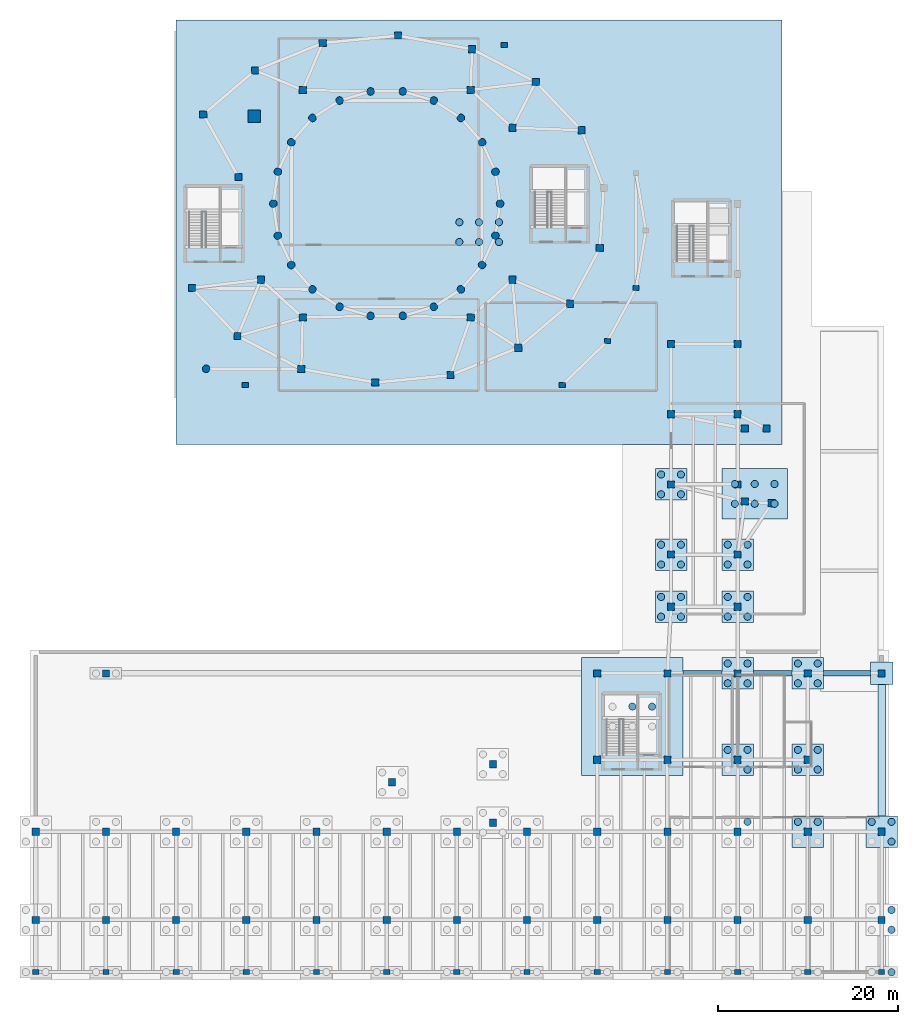
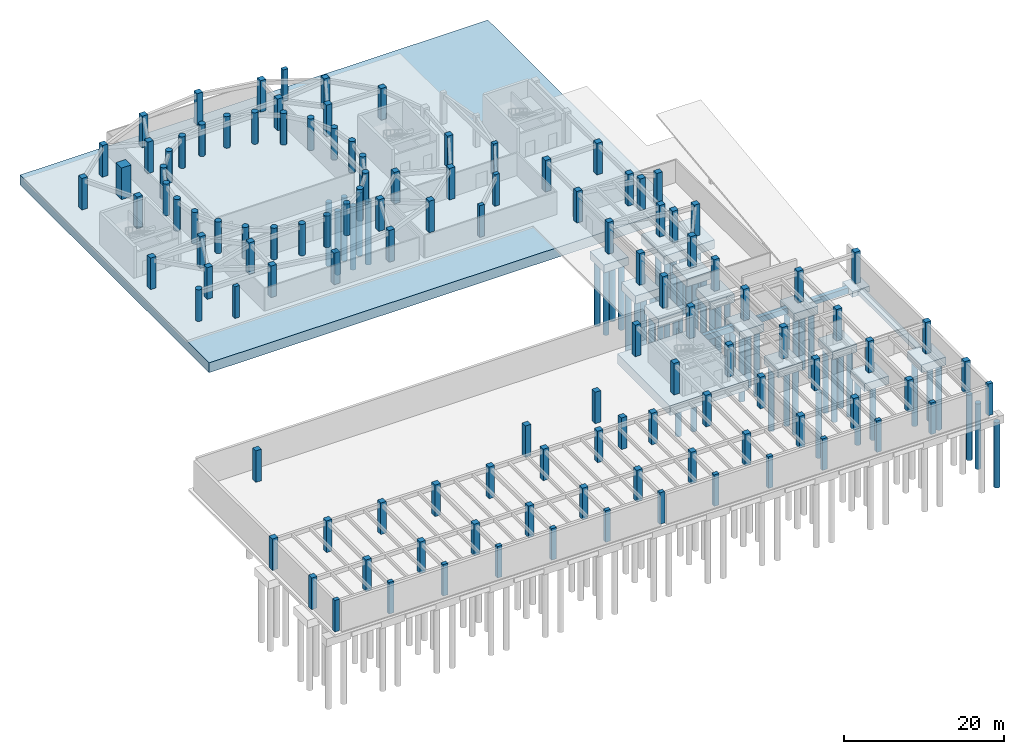
# One storey, part 2 of 11: 118 columns, 58 piles, 19 footings.
"""IFC4 building model written with IfcOpenShell, lengths in metres."""

from ifc_helpers import new_model, si_unit, direction, frame, origin, origin_2d, place, context, subcontext, project, spatial, rectangle, circle, extrude, material, layer, layer_set, material_profile, profile_set, type_object, element, save


model = new_model("IFC4")

# Units and contexts
model_context = context("Model", 3, precision=1e-05, world=origin(), true_north=direction((0.0, 1.0)))
body_context = subcontext(model_context, "Body", "Model", "MODEL_VIEW")
ifc_project = project(units=[si_unit("LENGTHUNIT", "METRE"), si_unit("AREAUNIT", "SQUARE_METRE"), si_unit("VOLUMEUNIT", "CUBIC_METRE"), si_unit("PLANEANGLEUNIT", "RADIAN"), si_unit("MASSUNIT", "GRAM", prefix="KILO")], contexts=[model_context])

# Site, building, storey
site_placement = place(None, origin())
site = spatial("IfcSite", under=ifc_project, at=site_placement, CompositionType="ELEMENT")
building_placement = place(site_placement, origin())
building = spatial("IfcBuilding", under=site, at=building_placement, Name="Pelvatis Terrace Science Centre", CompositionType="ELEMENT")
storey_placement = place(building_placement, frame((0.0, 0.0, -4.800048828125)))
storey = spatial("IfcBuildingStorey", under=building, at=storey_placement, Name="B01", CompositionType="ELEMENT", Elevation=-4.800048828125)

# Footings
ifc_material_1 = material(Name="Concrete C35/45", Category="concrete")
ifc_material_profile_1 = material_profile(ifc_material_1, rectangle(XDim=0.60009765625, YDim=0.89990234375, at=origin_2d()), Name="RC-FTB 600x900")
ifc_profile_set_1 = profile_set([ifc_material_profile_1], Name="Concrete C35/45")
footing_type_1 = type_object("IfcFootingType", Name="FTG-BM-600x900", PredefinedType="FOOTING_BEAM", material=ifc_profile_set_1)
footing_1_placement = place(storey_placement, frame((142.14501953125, 33.60009765625, -0.75), z_axis=(1.0, 0.0, 0.0), x_axis=(0.0, 1.0, 0.0)))
element("IfcFooting", 1, at=footing_1_placement, inside=storey, type_object=footing_type_1, Name="Foundation footing beam 04", PredefinedType="FOOTING_BEAM", context=body_context, shape_type="SweptSolid", body=[
    extrude(rectangle(XDim=0.60009765625, YDim=0.89990234375, at=origin_2d()), origin(), (0.0, 0.0, 1.0), 4.31005859375),
])
footing_2_placement = place(storey_placement, frame((149.945068359375, 33.60009765625, -0.75), z_axis=(1.0, 0.0, 0.0), x_axis=(0.0, 1.0, 0.0)))
element("IfcFooting", 2, at=footing_2_placement, inside=storey, type_object=footing_type_1, Name="Foundation footing beam 05", PredefinedType="FOOTING_BEAM", context=body_context, shape_type="SweptSolid", body=[
    extrude(rectangle(XDim=0.60009765625, YDim=0.89990234375, at=origin_2d()), origin(), (0.0, 0.0, 1.0), 4.309814453125),
])
footing_3_placement = place(storey_placement, frame((157.7451171875, 33.60009765625, -0.75), z_axis=(1.0, 0.0, 0.0), x_axis=(0.0, 1.0, 0.0)))
element("IfcFooting", 3, at=footing_3_placement, inside=storey, type_object=footing_type_1, Name="Foundation footing beam 06", PredefinedType="FOOTING_BEAM", context=body_context, shape_type="SweptSolid", body=[
    extrude(rectangle(XDim=0.60009765625, YDim=0.89990234375, at=origin_2d()), origin(), (0.0, 0.0, 1.0), 5.2099609375),
])
ifc_material_2 = material(Name="Concrete C35/45", Category="concrete")
ifc_layer_1 = layer(ifc_material_2, 1.5)
ifc_layer_set_1 = layer_set([ifc_layer_1], Name="Concrete C35/45")
footing_type_2 = type_object("IfcFootingType", Name="FTG-CMB-11300x13100x1500", PredefinedType="PILE_CAP", material=ifc_layer_set_1)
footing_4_placement = place(storey_placement, frame((136.5, 28.800048828125, -1.849853515625), z_axis=(0.0, 0.0, 1.0), x_axis=(1.0, 0.0, 0.0)))
element("IfcFooting", 4, at=footing_4_placement, inside=storey, type_object=footing_type_2, Name="Foundation cap B01-236", PredefinedType="PILE_CAP", context=body_context, shape_type="SweptSolid", body=[
    extrude(rectangle(XDim=11.300048828125, YDim=13.10009765625, at=origin_2d()), origin(), (0.0, 0.0, 1.0), 1.5),
])
ifc_material_3 = material(Name="Concrete C35/45", Category="concrete")
ifc_layer_2 = layer(ifc_material_3, 1.5)
ifc_layer_set_2 = layer_set([ifc_layer_2], Name="Concrete C35/45")
footing_type_3 = type_object("IfcFootingType", Name="FTG-CMB-67350x47150x1500", PredefinedType="PILE_CAP", material=ifc_layer_set_2)
footing_5_placement = place(storey_placement, frame((119.474365234375, 82.63671875, -1.849853515625), z_axis=(0.0, 0.0, 1.0), x_axis=(1.0, 0.0, 0.0)))
element("IfcFooting", 5, at=footing_5_placement, inside=storey, type_object=footing_type_3, Name="Foundation cap B01-214", PredefinedType="PILE_CAP", context=body_context, shape_type="SweptSolid", body=[
    extrude(rectangle(XDim=67.35009765625, YDim=47.14990234375, at=origin_2d()), origin(), (0.0, 0.0, 1.0), 1.5),
])
ifc_material_4 = material(Name="Concrete C35/45", Category="concrete")
ifc_layer_3 = layer(ifc_material_4, 1.35009765625)
ifc_layer_set_3 = layer_set([ifc_layer_3], Name="Concrete C35/45")
footing_type_4 = type_object("IfcFootingType", Name="FTG-CMB-7300x5600x1350", PredefinedType="PILE_CAP", material=ifc_layer_set_3)
footing_6_placement = place(storey_placement, frame((150.10009765625, 53.550048828125, -1.699951171875), z_axis=(0.0, 0.0, 1.0), x_axis=(1.0, 0.0, 0.0)))
element("IfcFooting", 6, at=footing_6_placement, inside=storey, type_object=footing_type_4, Name="Foundation cap B01-255", PredefinedType="PILE_CAP", context=body_context, shape_type="SweptSolid", body=[
    extrude(rectangle(XDim=7.300048828125, YDim=5.60009765625, at=origin_2d()), origin(), (0.0, 0.0, 1.0), 1.35009765625),
])
ifc_material_5 = material(Name="Concrete C35/45", Category="concrete")
ifc_layer_4 = layer(ifc_material_5, 0.85009765625)
ifc_layer_set_4 = layer_set([ifc_layer_4], Name="Concrete C35/45")
footing_type_5 = type_object("IfcFootingType", Name="FTG-PAD-2500x2500x850", PredefinedType="PAD_FOOTING", material=ifc_layer_set_4)
footing_7_placement = place(storey_placement, frame((164.199951171875, 33.60009765625, -1.199951171875), z_axis=(0.0, 0.0, 1.0), x_axis=(1.0, 0.0, 0.0)))
element("IfcFooting", 7, at=footing_7_placement, inside=storey, type_object=footing_type_5, Name="Foundation cap B01-250", PredefinedType="PAD_FOOTING", context=body_context, shape_type="SweptSolid", body=[
    extrude(rectangle(XDim=2.5, YDim=2.5, at=origin_2d()), origin(), (0.0, 0.0, 1.0), 0.85009765625),
])
ifc_material_6 = material(Name="Concrete C35/45", Category="concrete")
ifc_layer_5 = layer(ifc_material_6, 1.199951171875)
ifc_layer_set_5 = layer_set([ifc_layer_5], Name="Concrete C35/45")
footing_type_6 = type_object("IfcFootingType", Name="FTG-PC4-3500x3500x1200", PredefinedType="PILE_CAP", material=ifc_layer_set_5)
for number, where, z_axis, x_axis, name in (
    (8, (164.199951171875, 16.0, -1.5498046875), (0.0, 0.0, 1.0), (1.0, 0.0, 0.0), "Foundation cap B01-244"),
    (9, (156.0, 16.0, -1.5498046875), (0.0, 0.0, 1.0), (1.0, 0.0, 0.0), "Foundation cap B01-245"),
    (10, (156.0, 24.0, -1.5498046875), (0.0, 0.0, 1.0), (1.0, 0.0, 0.0), "Foundation cap B01-246"),
    (11, (148.199951171875, 24.0, -1.5498046875), (0.0, 0.0, 1.0), (1.0, 0.0, 0.0), "Foundation cap B01-247"),
    (12, (156.0, 33.60009765625, -1.5498046875), (0.0, 0.0, 1.0), (1.0, 0.0, 0.0), "Foundation cap B01-248"),
    (13, (148.199951171875, 33.60009765625, -1.5498046875), (0.0, 0.0, 1.0), (1.0, 0.0, 0.0), "Foundation cap B01-249"),
    (14, (140.800048828125, 41.0, -1.5498046875), (0.0, 0.0, 1.0), (1.0, 0.0, 0.0), "Foundation cap B01-251"),
    (15, (148.199951171875, 41.0, -1.5498046875), (0.0, 0.0, 1.0), (1.0, 0.0, 0.0), "Foundation cap B01-252"),
    (16, (148.199951171875, 46.800048828125, -1.5498046875), (0.0, 0.0, 1.0), (1.0, 0.0, 0.0), "Foundation cap B01-253"),
    (17, (140.800048828125, 46.800048828125, -1.5498046875), (0.0, 0.0, 1.0), (1.0, 0.0, 0.0), "Foundation cap B01-254"),
    (18, (140.800048828125, 54.60009765625, -1.5498046875), (0.0, 0.0, 1.0), (1.0, 0.0, 0.0), "Foundation cap B01-256"),
):
    element("IfcFooting", number, at=place(storey_placement, frame(where, z_axis=z_axis, x_axis=x_axis)), inside=storey, type_object=footing_type_6, Name=name, PredefinedType="PILE_CAP", context=body_context, shape_type="SweptSolid", body=[
        extrude(rectangle(XDim=3.5, YDim=3.5, at=origin_2d()), origin(), (0.0, 0.0, 1.0), 1.199951171875),
    ])
ifc_material_7 = material(Name="Concrete C35/45", Category="concrete")
ifc_material_profile_2 = material_profile(ifc_material_7, rectangle(XDim=0.85009765625, YDim=0.64990234375, at=origin_2d()), Name="RC-STR 850x650")
ifc_profile_set_2 = profile_set([ifc_material_profile_2], Name="Concrete C35/45")
footing_type_7 = type_object("IfcFootingType", Name="FTG-STR-850x650", PredefinedType="STRIP_FOOTING", material=ifc_profile_set_2)
footing_8_placement = place(storey_placement, frame((164.199951171875, 17.760009765625, -0.75), z_axis=(0.0, 1.0, 0.0), x_axis=(-1.0, 0.0, 0.0)))
element("IfcFooting", 19, at=footing_8_placement, inside=storey, type_object=footing_type_7, Name="Foundation strip footing 34", PredefinedType="STRIP_FOOTING", context=body_context, shape_type="SweptSolid", body=[
    extrude(rectangle(XDim=0.85009765625, YDim=0.64990234375, at=origin_2d()), origin(), (0.0, 0.0, 1.0), 14.580078125),
])

# Piles
ifc_material_8 = material(Name="Concrete C30/37", Category="concrete")
ifc_material_profile_3 = material_profile(ifc_material_8, circle(Radius=0.39990234375, at=origin_2d()), Name="PILE D800")
ifc_profile_set_3 = profile_set([ifc_material_profile_3], Name="Concrete C30/37")
pile_type = type_object("IfcPileType", Name="PIL-BORED-D800", PredefinedType="BORED", material=ifc_profile_set_3)
for number, where, z_axis, x_axis, name in (
    (20, (117.2744140625, 81.536865234375, -1.75), (0.0, 0.0, -1.0), (1.0, 0.0, 0.0), "Bored pile B01-214-1"),
    (21, (119.474365234375, 81.536865234375, -1.75), (0.0, 0.0, -1.0), (1.0, 0.0, 0.0), "Bored pile B01-214-2"),
    (22, (121.67431640625, 81.536865234375, -1.75), (0.0, 0.0, -1.0), (1.0, 0.0, 0.0), "Bored pile B01-214-3"),
    (23, (117.2744140625, 83.73681640625, -1.75), (0.0, 0.0, -1.0), (1.0, 0.0, 0.0), "Bored pile B01-214-4"),
    (24, (119.474365234375, 83.73681640625, -1.75), (0.0, 0.0, -1.0), (1.0, 0.0, 0.0), "Bored pile B01-214-5"),
    (25, (121.67431640625, 83.73681640625, -1.75), (0.0, 0.0, -1.0), (1.0, 0.0, 0.0), "Bored pile B01-214-6"),
    (26, (136.5, 29.89990234375, -1.75), (0.0, 0.0, -1.0), (1.0, 0.0, 0.0), "Bored pile B01-236-5"),
    (27, (138.699951171875, 29.89990234375, -1.75), (0.0, 0.0, -1.0), (1.0, 0.0, 0.0), "Bored pile B01-236-6"),
):
    element("IfcPile", number, at=place(storey_placement, frame(where, z_axis=z_axis, x_axis=x_axis)), inside=storey, type_object=pile_type, Name=name, PredefinedType="BORED", context=body_context, shape_type="SweptSolid", body=[
        extrude(circle(Radius=0.39990234375, at=origin_2d()), origin(), (0.0, 0.0, 1.0), 9.64990234375),
    ])
for number, where, z_axis, x_axis, name in (
    (28, (165.300048828125, 0.39990234375, -1.449951171875), (0.0, 0.0, -1.0), (1.0, 0.0, 0.0), "Bored pile B01-237-2"),
    (29, (165.300048828125, 5.10009765625, -1.449951171875), (0.0, 0.0, -1.0), (1.0, 0.0, 0.0), "Bored pile B01-240-3"),
    (30, (165.300048828125, 7.300048828125, -1.449951171875), (0.0, 0.0, -1.0), (1.0, 0.0, 0.0), "Bored pile B01-240-4"),
    (31, (149.300048828125, 17.10009765625, -1.449951171875), (0.0, 0.0, -1.0), (1.0, 0.0, 0.0), "Bored pile B01-243-4"),
    (32, (163.10009765625, 17.10009765625, -1.449951171875), (0.0, 0.0, -1.0), (1.0, 0.0, 0.0), "Bored pile B01-244-2"),
    (33, (165.300048828125, 14.89990234375, -1.449951171875), (0.0, 0.0, -1.0), (1.0, 0.0, 0.0), "Bored pile B01-244-3"),
    (34, (165.300048828125, 17.10009765625, -1.449951171875), (0.0, 0.0, -1.0), (1.0, 0.0, 0.0), "Bored pile B01-244-4"),
    (35, (154.89990234375, 17.10009765625, -1.449951171875), (0.0, 0.0, -1.0), (1.0, 0.0, 0.0), "Bored pile B01-245-2"),
    (36, (157.10009765625, 17.10009765625, -1.449951171875), (0.0, 0.0, -1.0), (1.0, 0.0, 0.0), "Bored pile B01-245-4"),
    (37, (154.89990234375, 22.89990234375, -1.449951171875), (0.0, 0.0, -1.0), (1.0, 0.0, 0.0), "Bored pile B01-246-1"),
    (38, (154.89990234375, 25.10009765625, -1.449951171875), (0.0, 0.0, -1.0), (1.0, 0.0, 0.0), "Bored pile B01-246-2"),
    (39, (157.10009765625, 22.89990234375, -1.449951171875), (0.0, 0.0, -1.0), (1.0, 0.0, 0.0), "Bored pile B01-246-3"),
    (40, (157.10009765625, 25.10009765625, -1.449951171875), (0.0, 0.0, -1.0), (1.0, 0.0, 0.0), "Bored pile B01-246-4"),
    (41, (147.10009765625, 25.10009765625, -1.449951171875), (0.0, 0.0, -1.0), (1.0, 0.0, 0.0), "Bored pile B01-247-2"),
    (42, (149.300048828125, 22.89990234375, -1.449951171875), (0.0, 0.0, -1.0), (1.0, 0.0, 0.0), "Bored pile B01-247-3"),
    (43, (149.300048828125, 25.10009765625, -1.449951171875), (0.0, 0.0, -1.0), (1.0, 0.0, 0.0), "Bored pile B01-247-4"),
    (44, (154.89990234375, 32.5, -1.449951171875), (0.0, 0.0, -1.0), (1.0, 0.0, 0.0), "Bored pile B01-248-1"),
    (45, (154.89990234375, 34.699951171875, -1.449951171875), (0.0, 0.0, -1.0), (1.0, 0.0, 0.0), "Bored pile B01-248-2"),
    (46, (157.10009765625, 32.5, -1.449951171875), (0.0, 0.0, -1.0), (1.0, 0.0, 0.0), "Bored pile B01-248-3"),
    (47, (157.10009765625, 34.699951171875, -1.449951171875), (0.0, 0.0, -1.0), (1.0, 0.0, 0.0), "Bored pile B01-248-4"),
    (48, (147.10009765625, 32.5, -1.449951171875), (0.0, 0.0, -1.0), (1.0, 0.0, 0.0), "Bored pile B01-249-1"),
    (49, (147.10009765625, 34.699951171875, -1.449951171875), (0.0, 0.0, -1.0), (1.0, 0.0, 0.0), "Bored pile B01-249-2"),
    (50, (149.300048828125, 32.5, -1.449951171875), (0.0, 0.0, -1.0), (1.0, 0.0, 0.0), "Bored pile B01-249-3"),
    (51, (149.300048828125, 34.699951171875, -1.449951171875), (0.0, 0.0, -1.0), (1.0, 0.0, 0.0), "Bored pile B01-249-4"),
    (52, (139.699951171875, 39.89990234375, -1.449951171875), (0.0, 0.0, -1.0), (1.0, 0.0, 0.0), "Bored pile B01-251-1"),
    (53, (139.699951171875, 42.10009765625, -1.449951171875), (0.0, 0.0, -1.0), (1.0, 0.0, 0.0), "Bored pile B01-251-2"),
    (54, (141.89990234375, 39.89990234375, -1.449951171875), (0.0, 0.0, -1.0), (1.0, 0.0, 0.0), "Bored pile B01-251-3"),
    (55, (141.89990234375, 42.10009765625, -1.449951171875), (0.0, 0.0, -1.0), (1.0, 0.0, 0.0), "Bored pile B01-251-4"),
    (56, (147.10009765625, 39.89990234375, -1.449951171875), (0.0, 0.0, -1.0), (1.0, 0.0, 0.0), "Bored pile B01-252-1"),
    (57, (147.10009765625, 42.10009765625, -1.449951171875), (0.0, 0.0, -1.0), (1.0, 0.0, 0.0), "Bored pile B01-252-2"),
    (58, (149.300048828125, 39.89990234375, -1.449951171875), (0.0, 0.0, -1.0), (1.0, 0.0, 0.0), "Bored pile B01-252-3"),
    (59, (149.300048828125, 42.10009765625, -1.449951171875), (0.0, 0.0, -1.0), (1.0, 0.0, 0.0), "Bored pile B01-252-4"),
    (60, (147.10009765625, 45.699951171875, -1.449951171875), (0.0, 0.0, -1.0), (1.0, 0.0, 0.0), "Bored pile B01-253-1"),
    (61, (147.10009765625, 47.89990234375, -1.449951171875), (0.0, 0.0, -1.0), (1.0, 0.0, 0.0), "Bored pile B01-253-2"),
    (62, (149.300048828125, 45.699951171875, -1.449951171875), (0.0, 0.0, -1.0), (1.0, 0.0, 0.0), "Bored pile B01-253-3"),
    (63, (149.300048828125, 47.89990234375, -1.449951171875), (0.0, 0.0, -1.0), (1.0, 0.0, 0.0), "Bored pile B01-253-4"),
    (64, (139.699951171875, 45.699951171875, -1.449951171875), (0.0, 0.0, -1.0), (1.0, 0.0, 0.0), "Bored pile B01-254-1"),
    (65, (139.699951171875, 47.89990234375, -1.449951171875), (0.0, 0.0, -1.0), (1.0, 0.0, 0.0), "Bored pile B01-254-2"),
    (66, (141.89990234375, 45.699951171875, -1.449951171875), (0.0, 0.0, -1.0), (1.0, 0.0, 0.0), "Bored pile B01-254-3"),
    (67, (141.89990234375, 47.89990234375, -1.449951171875), (0.0, 0.0, -1.0), (1.0, 0.0, 0.0), "Bored pile B01-254-4"),
):
    element("IfcPile", number, at=place(storey_placement, frame(where, z_axis=z_axis, x_axis=x_axis)), inside=storey, type_object=pile_type, Name=name, PredefinedType="BORED", context=body_context, shape_type="SweptSolid", body=[
        extrude(circle(Radius=0.39990234375, at=origin_2d()), origin(), (0.0, 0.0, 1.0), 9.949951171875),
    ])
for number, where, z_axis, x_axis, name in (
    (68, (147.89990234375, 52.449951171875, -1.599853515625), (0.0, 0.0, -1.0), (1.0, 0.0, 0.0), "Bored pile B01-255-1"),
    (69, (150.10009765625, 52.449951171875, -1.599853515625), (0.0, 0.0, -1.0), (1.0, 0.0, 0.0), "Bored pile B01-255-2"),
    (70, (152.300048828125, 52.449951171875, -1.599853515625), (0.0, 0.0, -1.0), (1.0, 0.0, 0.0), "Bored pile B01-255-3"),
    (71, (147.89990234375, 54.64990234375, -1.599853515625), (0.0, 0.0, -1.0), (1.0, 0.0, 0.0), "Bored pile B01-255-4"),
    (72, (150.10009765625, 54.64990234375, -1.599853515625), (0.0, 0.0, -1.0), (1.0, 0.0, 0.0), "Bored pile B01-255-5"),
    (73, (152.300048828125, 54.64990234375, -1.599853515625), (0.0, 0.0, -1.0), (1.0, 0.0, 0.0), "Bored pile B01-255-6"),
):
    element("IfcPile", number, at=place(storey_placement, frame(where, z_axis=z_axis, x_axis=x_axis)), inside=storey, type_object=pile_type, Name=name, PredefinedType="BORED", context=body_context, shape_type="SweptSolid", body=[
        extrude(circle(Radius=0.39990234375, at=origin_2d()), origin(), (0.0, 0.0, 1.0), 9.800048828125),
    ])
for number, where, z_axis, x_axis, name in (
    (74, (139.699951171875, 53.5, -1.449951171875), (0.0, 0.0, -1.0), (1.0, 0.0, 0.0), "Bored pile B01-256-1"),
    (75, (139.699951171875, 55.699951171875, -1.449951171875), (0.0, 0.0, -1.0), (1.0, 0.0, 0.0), "Bored pile B01-256-2"),
    (76, (141.89990234375, 53.5, -1.449951171875), (0.0, 0.0, -1.0), (1.0, 0.0, 0.0), "Bored pile B01-256-3"),
    (77, (141.89990234375, 55.699951171875, -1.449951171875), (0.0, 0.0, -1.0), (1.0, 0.0, 0.0), "Bored pile B01-256-4"),
):
    element("IfcPile", number, at=place(storey_placement, frame(where, z_axis=z_axis, x_axis=x_axis)), inside=storey, type_object=pile_type, Name=name, PredefinedType="BORED", context=body_context, shape_type="SweptSolid", body=[
        extrude(circle(Radius=0.39990234375, at=origin_2d()), origin(), (0.0, 0.0, 1.0), 9.949951171875),
    ])

# Columns
ifc_material_9 = material(Name="Concrete C40/50", Category="concrete")
ifc_material_profile_4 = material_profile(ifc_material_9, rectangle(XDim=1.39990234375, YDim=1.39990234375, at=origin_2d()), Name="RC-COL 1400x1400")
ifc_profile_set_4 = profile_set([ifc_material_profile_4], Name="Concrete C40/50")
column_type_1 = type_object("IfcColumnType", Name="COL-PIER-1400", PredefinedType="COLUMN", material=ifc_profile_set_4)
column_placement = place(storey_placement, frame((94.5, 95.5, 0.0), z_axis=(0.0, 0.0, 1.0), x_axis=(1.0, 0.0, 0.0)))
element("IfcColumn", 78, at=column_placement, inside=storey, type_object=column_type_1, Name="Column PIER-OBS (B01)", PredefinedType="COLUMN", context=body_context, shape_type="SweptSolid", body=[
    extrude(rectangle(XDim=1.39990234375, YDim=1.39990234375, at=origin_2d()), origin(), (0.0, 0.0, 1.0), 4.800048828125),
])
ifc_material_10 = material(Name="Concrete C40/50", Category="concrete")
ifc_material_profile_5 = material_profile(ifc_material_10, rectangle(XDim=0.699951171875, YDim=0.550048828125, at=origin_2d()), Name="RC-COL 700x550")
ifc_profile_set_5 = profile_set([ifc_material_profile_5], Name="Concrete C40/50")
column_type_2 = type_object("IfcColumnType", Name="COL-RC-700x550", PredefinedType="COLUMN", material=ifc_profile_set_5)
for number, where, z_axis, x_axis, name in (
    (79, (122.274658203125, 103.448486328125, 0.0), (0.0, 0.0, 1.0), (1.0, 0.0, 0.0), "Column V1E-ST-05 (B01)"),
    (80, (93.484130859375, 65.64453125, 0.0), (0.0, 0.0, 1.0), (1.0, 0.0, 0.0), "Column V1E-ST-15 (B01)"),
    (81, (128.7158203125, 65.64453125, 0.0), (0.0, 0.0, 1.0), (1.0, 0.0, 0.0), "Column V1E-ST-20 (B01)"),
    (82, (133.729736328125, 70.527587890625, 0.0), (0.0, 0.0, 1.0), (1.0, 0.0, 0.0), "Column V1E-ST-21 (B01)"),
    (83, (136.910400390625, 76.40478515625, 0.0), (0.0, 0.0, 1.0), (1.0, 0.0, 0.0), "Column V1E-ST-22 (B01)"),
    (84, (70.199951171875, 0.39990234375, 0.0), (0.0, 0.0, 1.0), (1.0, 0.0, 0.0), "Column V5G-S-2-1 (B01)"),
    (85, (78.0, 0.39990234375, 0.0), (0.0, 0.0, 1.0), (1.0, 0.0, 0.0), "Column V5G-S-3-1 (B01)"),
    (86, (85.800048828125, 0.39990234375, 0.0), (0.0, 0.0, 1.0), (1.0, 0.0, 0.0), "Column V5G-S-4-1 (B01)"),
    (87, (93.60009765625, 0.39990234375, 0.0), (0.0, 0.0, 1.0), (1.0, 0.0, 0.0), "Column V5G-S-5-1 (B01)"),
    (88, (101.39990234375, 0.39990234375, 0.0), (0.0, 0.0, 1.0), (1.0, 0.0, 0.0), "Column V5G-S-6-1 (B01)"),
    (89, (109.199951171875, 0.39990234375, 0.0), (0.0, 0.0, 1.0), (1.0, 0.0, 0.0), "Column V5G-S-7-1 (B01)"),
    (90, (117.0, 0.39990234375, 0.0), (0.0, 0.0, 1.0), (1.0, 0.0, 0.0), "Column V5G-S-8-1 (B01)"),
    (91, (124.800048828125, 0.39990234375, 0.0), (0.0, 0.0, 1.0), (1.0, 0.0, 0.0), "Column V5G-S-9-1 (B01)"),
    (92, (132.60009765625, 0.39990234375, 0.0), (0.0, 0.0, 1.0), (1.0, 0.0, 0.0), "Column V5G-S-10-1 (B01)"),
    (93, (140.39990234375, 0.39990234375, 0.0), (0.0, 0.0, 1.0), (1.0, 0.0, 0.0), "Column V5G-S-11-1 (B01)"),
    (94, (148.199951171875, 0.39990234375, 0.0), (0.0, 0.0, 1.0), (1.0, 0.0, 0.0), "Column V5G-S-12-1 (B01)"),
    (95, (156.0, 0.39990234375, 0.0), (0.0, 0.0, 1.0), (1.0, 0.0, 0.0), "Column V5G-S-13-1 (B01)"),
    (96, (164.199951171875, 0.39990234375, 0.0), (0.0, 0.0, 1.0), (1.0, 0.0, 0.0), "Column V5G-S-14-1 (B01)"),
):
    element("IfcColumn", number, at=place(storey_placement, frame(where, z_axis=z_axis, x_axis=x_axis)), inside=storey, type_object=column_type_2, Name=name, PredefinedType="COLUMN", context=body_context, shape_type="SweptSolid", body=[
        extrude(rectangle(XDim=0.699951171875, YDim=0.550048828125, at=origin_2d()), origin(), (0.0, 0.0, 1.0), 4.800048828125),
    ])
ifc_material_11 = material(Name="Concrete C40/50", Category="concrete")
ifc_material_profile_6 = material_profile(ifc_material_11, rectangle(XDim=0.800048828125, YDim=0.800048828125, at=origin_2d()), Name="RC-COL 800x800")
ifc_profile_set_6 = profile_set([ifc_material_profile_6], Name="Concrete C40/50")
column_type_3 = type_object("IfcColumnType", Name="COL-RC-800x800", PredefinedType="COLUMN", material=ifc_profile_set_6)
for number, where, z_axis, x_axis, name in (
    (97, (130.8515625, 93.9619140625, 0.0), (0.0, 0.0, 1.0), (1.0, 0.0, 0.0), "Column V1E-RF-02 (B01)"),
    (98, (125.772705078125, 99.315185546875, 0.0), (0.0, 0.0, 1.0), (1.0, 0.0, 0.0), "Column V1E-RF-03 (B01)"),
    (99, (118.69482421875, 102.9658203125, 0.0), (0.0, 0.0, 1.0), (1.0, 0.0, 0.0), "Column V1E-RF-04 (B01)"),
    (100, (110.4716796875, 104.4736328125, 0.0), (0.0, 0.0, 1.0), (1.0, 0.0, 0.0), "Column V1E-RF-05 (B01)"),
    (101, (102.095458984375, 103.65673828125, 0.0), (0.0, 0.0, 1.0), (1.0, 0.0, 0.0), "Column V1E-RF-06 (B01)"),
    (102, (94.575927734375, 100.61376953125, 0.0), (0.0, 0.0, 1.0), (1.0, 0.0, 0.0), "Column V1E-RF-07 (B01)"),
    (103, (88.8203125, 95.71142578125, 0.0), (0.0, 0.0, 1.0), (1.0, 0.0, 0.0), "Column V1E-RF-08 (B01)"),
    (104, (87.548583984375, 76.43798828125, 0.0), (0.0, 0.0, 1.0), (1.0, 0.0, 0.0), "Column V1E-RF-11 (B01)"),
    (105, (92.62744140625, 71.0849609375, 0.0), (0.0, 0.0, 1.0), (1.0, 0.0, 0.0), "Column V1E-RF-12 (B01)"),
    (106, (99.705078125, 67.434326171875, 0.0), (0.0, 0.0, 1.0), (1.0, 0.0, 0.0), "Column V1E-RF-13 (B01)"),
    (107, (107.92822265625, 65.926513671875, 0.0), (0.0, 0.0, 1.0), (1.0, 0.0, 0.0), "Column V1E-RF-14 (B01)"),
    (108, (116.3046875, 66.743408203125, 0.0), (0.0, 0.0, 1.0), (1.0, 0.0, 0.0), "Column V1E-RF-15 (B01)"),
    (109, (123.82421875, 69.786376953125, 0.0), (0.0, 0.0, 1.0), (1.0, 0.0, 0.0), "Column V1E-RF-16 (B01)"),
    (110, (129.57958984375, 74.6884765625, 0.0), (0.0, 0.0, 1.0), (1.0, 0.0, 0.0), "Column V1E-RF-17 (B01)"),
    (111, (132.877197265625, 80.8583984375, 0.0), (0.0, 0.0, 1.0), (1.0, 0.0, 0.0), "Column V1E-RF-18 (B01)"),
    (112, (123.168701171875, 94.24462890625, 0.0), (0.0, 0.0, 1.0), (1.0, 0.0, 0.0), "Column V1E-IN-02 (B01)"),
    (113, (118.53369140625, 98.438232421875, 0.0), (0.0, 0.0, 1.0), (1.0, 0.0, 0.0), "Column V1E-IN-03 (B01)"),
    (114, (99.866455078125, 98.438232421875, 0.0), (0.0, 0.0, 1.0), (1.0, 0.0, 0.0), "Column V1E-IN-06 (B01)"),
    (115, (92.722900390625, 88.765380859375, 0.0), (0.0, 0.0, 1.0), (1.0, 0.0, 0.0), "Column V1E-IN-08 (B01)"),
    (116, (95.231201171875, 77.355224609375, 0.0), (0.0, 0.0, 1.0), (1.0, 0.0, 0.0), "Column V1E-IN-10 (B01)"),
    (117, (99.866455078125, 73.16162109375, 0.0), (0.0, 0.0, 1.0), (1.0, 0.0, 0.0), "Column V1E-IN-11 (B01)"),
    (118, (118.53369140625, 73.16162109375, 0.0), (0.0, 0.0, 1.0), (1.0, 0.0, 0.0), "Column V1E-IN-14 (B01)"),
    (119, (123.168701171875, 77.355224609375, 0.0), (0.0, 0.0, 1.0), (1.0, 0.0, 0.0), "Column V1E-IN-15 (B01)"),
    (120, (70.199951171875, 6.199951171875, 0.0), (0.0, 0.0, 1.0), (1.0, 0.0, 0.0), "Column V5G-S-2-2 (B01)"),
    (121, (70.199951171875, 16.0, 0.0), (0.0, 0.0, 1.0), (1.0, 0.0, 0.0), "Column V5G-S-2-3 (B01)"),
    (122, (78.0, 6.199951171875, 0.0), (0.0, 0.0, 1.0), (1.0, 0.0, 0.0), "Column V5G-S-3-2 (B01)"),
    (123, (78.0, 16.0, 0.0), (0.0, 0.0, 1.0), (1.0, 0.0, 0.0), "Column V5G-S-3-3 (B01)"),
    (124, (78.0, 33.60009765625, 0.0), (0.0, 0.0, 1.0), (1.0, 0.0, 0.0), "Column V5G-S-3-5 (B01)"),
    (125, (85.800048828125, 6.199951171875, 0.0), (0.0, 0.0, 1.0), (1.0, 0.0, 0.0), "Column V5G-S-4-2 (B01)"),
    (126, (85.800048828125, 16.0, 0.0), (0.0, 0.0, 1.0), (1.0, 0.0, 0.0), "Column V5G-S-4-3 (B01)"),
    (127, (93.60009765625, 6.199951171875, 0.0), (0.0, 0.0, 1.0), (1.0, 0.0, 0.0), "Column V5G-S-5-2 (B01)"),
    (128, (93.60009765625, 16.0, 0.0), (0.0, 0.0, 1.0), (1.0, 0.0, 0.0), "Column V5G-S-5-3 (B01)"),
    (129, (101.39990234375, 6.199951171875, 0.0), (0.0, 0.0, 1.0), (1.0, 0.0, 0.0), "Column V5G-S-6-2 (B01)"),
    (130, (101.39990234375, 16.0, 0.0), (0.0, 0.0, 1.0), (1.0, 0.0, 0.0), "Column V5G-S-6-3 (B01)"),
    (131, (109.199951171875, 6.199951171875, 0.0), (0.0, 0.0, 1.0), (1.0, 0.0, 0.0), "Column V5G-S-7-2 (B01)"),
    (132, (109.199951171875, 16.0, 0.0), (0.0, 0.0, 1.0), (1.0, 0.0, 0.0), "Column V5G-S-7-3 (B01)"),
    (133, (117.0, 6.199951171875, 0.0), (0.0, 0.0, 1.0), (1.0, 0.0, 0.0), "Column V5G-S-8-2 (B01)"),
    (134, (117.0, 16.0, 0.0), (0.0, 0.0, 1.0), (1.0, 0.0, 0.0), "Column V5G-S-8-3 (B01)"),
    (135, (124.800048828125, 6.199951171875, 0.0), (0.0, 0.0, 1.0), (1.0, 0.0, 0.0), "Column V5G-S-9-2 (B01)"),
    (136, (124.800048828125, 16.0, 0.0), (0.0, 0.0, 1.0), (1.0, 0.0, 0.0), "Column V5G-S-9-3 (B01)"),
    (137, (132.60009765625, 6.199951171875, 0.0), (0.0, 0.0, 1.0), (1.0, 0.0, 0.0), "Column V5G-S-10-2 (B01)"),
    (138, (132.60009765625, 16.0, 0.0), (0.0, 0.0, 1.0), (1.0, 0.0, 0.0), "Column V5G-S-10-3 (B01)"),
    (139, (132.60009765625, 24.0, 0.0), (0.0, 0.0, 1.0), (1.0, 0.0, 0.0), "Column V5G-S-10-4 (B01)"),
    (140, (132.60009765625, 33.60009765625, 0.0), (0.0, 0.0, 1.0), (1.0, 0.0, 0.0), "Column V5G-S-10-5 (B01)"),
    (141, (140.39990234375, 6.199951171875, 0.0), (0.0, 0.0, 1.0), (1.0, 0.0, 0.0), "Column V5G-S-11-2 (B01)"),
    (142, (140.39990234375, 16.0, 0.0), (0.0, 0.0, 1.0), (1.0, 0.0, 0.0), "Column V5G-S-11-3 (B01)"),
    (143, (140.39990234375, 24.0, 0.0), (0.0, 0.0, 1.0), (1.0, 0.0, 0.0), "Column V5G-S-11-4 (B01)"),
    (144, (140.39990234375, 33.60009765625, 0.0), (0.0, 0.0, 1.0), (1.0, 0.0, 0.0), "Column V5G-S-11-5 (B01)"),
    (145, (148.199951171875, 6.199951171875, 0.0), (0.0, 0.0, 1.0), (1.0, 0.0, 0.0), "Column V5G-S-12-2 (B01)"),
    (146, (148.199951171875, 16.0, 0.0), (0.0, 0.0, 1.0), (1.0, 0.0, 0.0), "Column V5G-S-12-3 (B01)"),
    (147, (148.199951171875, 24.0, 0.0), (0.0, 0.0, 1.0), (1.0, 0.0, 0.0), "Column V5G-S-12-4 (B01)"),
    (148, (148.199951171875, 33.60009765625, 0.0), (0.0, 0.0, 1.0), (1.0, 0.0, 0.0), "Column V5G-S-12-5 (B01)"),
    (149, (156.0, 6.199951171875, 0.0), (0.0, 0.0, 1.0), (1.0, 0.0, 0.0), "Column V5G-S-13-2 (B01)"),
    (150, (156.0, 16.0, 0.0), (0.0, 0.0, 1.0), (1.0, 0.0, 0.0), "Column V5G-S-13-3 (B01)"),
    (151, (156.0, 24.0, 0.0), (0.0, 0.0, 1.0), (1.0, 0.0, 0.0), "Column V5G-S-13-4 (B01)"),
    (152, (156.0, 33.60009765625, 0.0), (0.0, 0.0, 1.0), (1.0, 0.0, 0.0), "Column V5G-S-13-5 (B01)"),
    (153, (164.199951171875, 6.199951171875, 0.0), (0.0, 0.0, 1.0), (1.0, 0.0, 0.0), "Column V5G-S-14-2 (B01)"),
    (154, (164.199951171875, 16.0, 0.0), (0.0, 0.0, 1.0), (1.0, 0.0, 0.0), "Column V5G-S-14-3 (B01)"),
    (155, (164.199951171875, 33.60009765625, 0.0), (0.0, 0.0, 1.0), (1.0, 0.0, 0.0), "Column V5G-S-14-5 (B01)"),
    (156, (140.800048828125, 41.0, 0.0), (0.0, 0.0, 1.0), (1.0, 0.0, 0.0), "Column V5G-E-2-1 (B01)"),
    (157, (140.800048828125, 46.800048828125, 0.0), (0.0, 0.0, 1.0), (1.0, 0.0, 0.0), "Column V5G-E-2-2 (B01)"),
    (158, (140.800048828125, 54.60009765625, 0.0), (0.0, 0.0, 1.0), (1.0, 0.0, 0.0), "Column V5G-E-2-3 (B01)"),
    (159, (140.800048828125, 62.39990234375, 0.0), (0.0, 0.0, 1.0), (1.0, 0.0, 0.0), "Column V5G-E-2-4 (B01)"),
    (160, (140.800048828125, 70.199951171875, 0.0), (0.0, 0.0, 1.0), (1.0, 0.0, 0.0), "Column V5G-E-2-5 (B01)"),
    (161, (148.199951171875, 41.0, 0.0), (0.0, 0.0, 1.0), (1.0, 0.0, 0.0), "Column V5G-E-3-1 (B01)"),
    (162, (148.199951171875, 46.800048828125, 0.0), (0.0, 0.0, 1.0), (1.0, 0.0, 0.0), "Column V5G-E-3-2 (B01)"),
    (163, (148.199951171875, 54.60009765625, 0.0), (0.0, 0.0, 1.0), (1.0, 0.0, 0.0), "Column V5G-E-3-3 (B01)"),
    (164, (148.199951171875, 62.39990234375, 0.0), (0.0, 0.0, 1.0), (1.0, 0.0, 0.0), "Column V5G-E-3-4 (B01)"),
    (165, (148.199951171875, 70.199951171875, 0.0), (0.0, 0.0, 1.0), (1.0, 0.0, 0.0), "Column V5G-E-3-5 (B01)"),
    (166, (121.0, 17.0, 0.0), (0.0, 0.0, 1.0), (1.0, 0.0, 0.0), "Column SUPR2-16 (B01)"),
    (167, (109.800048828125, 21.5, 0.0), (0.0, 0.0, 1.0), (1.0, 0.0, 0.0), "Column SUPR2-18 (B01)"),
    (168, (121.0, 23.5, 0.0), (0.0, 0.0, 1.0), (1.0, 0.0, 0.0), "Column SUPR2-19 (B01)"),
    (169, (152.0, 52.5, 0.0), (0.0, 0.0, 1.0), (1.0, 0.0, 0.0), "Column SUPR2-21 (B01)"),
    (170, (149.0, 52.699951171875, 0.0), (0.0, 0.0, 1.0), (1.0, 0.0, 0.0), "Column SUPR2-35 (B01)"),
    (171, (149.0, 60.800048828125, 0.0), (0.0, 0.0, 1.0), (1.0, 0.0, 0.0), "Column SUPR2-37 (B01)"),
    (172, (151.39990234375, 60.800048828125, 0.0), (0.0, 0.0, 1.0), (1.0, 0.0, 0.0), "Column SUPR2-38 (B01)"),
):
    element("IfcColumn", number, at=place(storey_placement, frame(where, z_axis=z_axis, x_axis=x_axis)), inside=storey, type_object=column_type_3, Name=name, PredefinedType="COLUMN", context=body_context, shape_type="SweptSolid", body=[
        extrude(rectangle(XDim=0.800048828125, YDim=0.800048828125, at=origin_2d()), origin(), (0.0, 0.0, 1.0), 4.800048828125),
    ])
ifc_material_12 = material(Name="Concrete C40/50", Category="concrete")
ifc_material_profile_7 = material_profile(ifc_material_12, circle(Radius=0.425048828125, at=origin_2d()), Name="RC-RCOL D850")
ifc_profile_set_7 = profile_set([ifc_material_profile_7], Name="Concrete C40/50")
column_type_4 = type_object("IfcColumnType", Name="COL-RND-D850", PredefinedType="COLUMN", material=ifc_profile_set_7)
for number, where, z_axis, x_axis, name in (
    (173, (121.800048828125, 85.800048828125, 0.0), (0.0, 0.0, 1.0), (1.0, 0.0, 0.0), "Column V1D-01 (B01)"),
    (174, (121.28955078125, 89.349853515625, 0.0), (0.0, 0.0, 1.0), (1.0, 0.0, 0.0), "Column V1D-02 (B01)"),
    (175, (119.7998046875, 92.612060546875, 0.0), (0.0, 0.0, 1.0), (1.0, 0.0, 0.0), "Column V1D-03 (B01)"),
    (176, (117.451171875, 95.322509765625, 0.0), (0.0, 0.0, 1.0), (1.0, 0.0, 0.0), "Column V1D-04 (B01)"),
    (177, (114.43408203125, 97.261474609375, 0.0), (0.0, 0.0, 1.0), (1.0, 0.0, 0.0), "Column V1D-05 (B01)"),
    (178, (110.9931640625, 98.271728515625, 0.0), (0.0, 0.0, 1.0), (1.0, 0.0, 0.0), "Column V1D-06 (B01)"),
    (179, (107.40673828125, 98.271728515625, 0.0), (0.0, 0.0, 1.0), (1.0, 0.0, 0.0), "Column V1D-07 (B01)"),
    (180, (103.9658203125, 97.261474609375, 0.0), (0.0, 0.0, 1.0), (1.0, 0.0, 0.0), "Column V1D-08 (B01)"),
    (181, (100.94873046875, 95.322509765625, 0.0), (0.0, 0.0, 1.0), (1.0, 0.0, 0.0), "Column V1D-09 (B01)"),
    (182, (98.60009765625, 92.612060546875, 0.0), (0.0, 0.0, 1.0), (1.0, 0.0, 0.0), "Column V1D-10 (B01)"),
    (183, (97.1103515625, 89.349853515625, 0.0), (0.0, 0.0, 1.0), (1.0, 0.0, 0.0), "Column V1D-11 (B01)"),
    (184, (96.60009765625, 85.800048828125, 0.0), (0.0, 0.0, 1.0), (1.0, 0.0, 0.0), "Column V1D-12 (B01)"),
    (185, (97.1103515625, 82.250244140625, 0.0), (0.0, 0.0, 1.0), (1.0, 0.0, 0.0), "Column V1D-13 (B01)"),
    (186, (98.60009765625, 78.98779296875, 0.0), (0.0, 0.0, 1.0), (1.0, 0.0, 0.0), "Column V1D-14 (B01)"),
    (187, (100.94873046875, 76.277587890625, 0.0), (0.0, 0.0, 1.0), (1.0, 0.0, 0.0), "Column V1D-15 (B01)"),
    (188, (103.9658203125, 74.338623046875, 0.0), (0.0, 0.0, 1.0), (1.0, 0.0, 0.0), "Column V1D-16 (B01)"),
    (189, (107.40673828125, 73.328125, 0.0), (0.0, 0.0, 1.0), (1.0, 0.0, 0.0), "Column V1D-17 (B01)"),
    (190, (110.9931640625, 73.328125, 0.0), (0.0, 0.0, 1.0), (1.0, 0.0, 0.0), "Column V1D-18 (B01)"),
    (191, (114.43408203125, 74.338623046875, 0.0), (0.0, 0.0, 1.0), (1.0, 0.0, 0.0), "Column V1D-19 (B01)"),
    (192, (117.451171875, 76.277587890625, 0.0), (0.0, 0.0, 1.0), (1.0, 0.0, 0.0), "Column V1D-20 (B01)"),
    (193, (119.7998046875, 78.98779296875, 0.0), (0.0, 0.0, 1.0), (1.0, 0.0, 0.0), "Column V1D-21 (B01)"),
    (194, (121.28955078125, 82.250244140625, 0.0), (0.0, 0.0, 1.0), (1.0, 0.0, 0.0), "Column V1D-22 (B01)"),
    (195, (89.132568359375, 67.44775390625, 0.0), (0.0, 0.0, 1.0), (1.0, 0.0, 0.0), "Column V2B-04 (B01)"),
):
    element("IfcColumn", number, at=place(storey_placement, frame(where, z_axis=z_axis, x_axis=x_axis)), inside=storey, type_object=column_type_4, Name=name, PredefinedType="COLUMN", context=body_context, shape_type="SweptSolid", body=[
        extrude(circle(Radius=0.425048828125, at=origin_2d()), origin(), (0.0, 0.0, 1.0), 4.800048828125),
    ])

save(model, "model.ifc")
